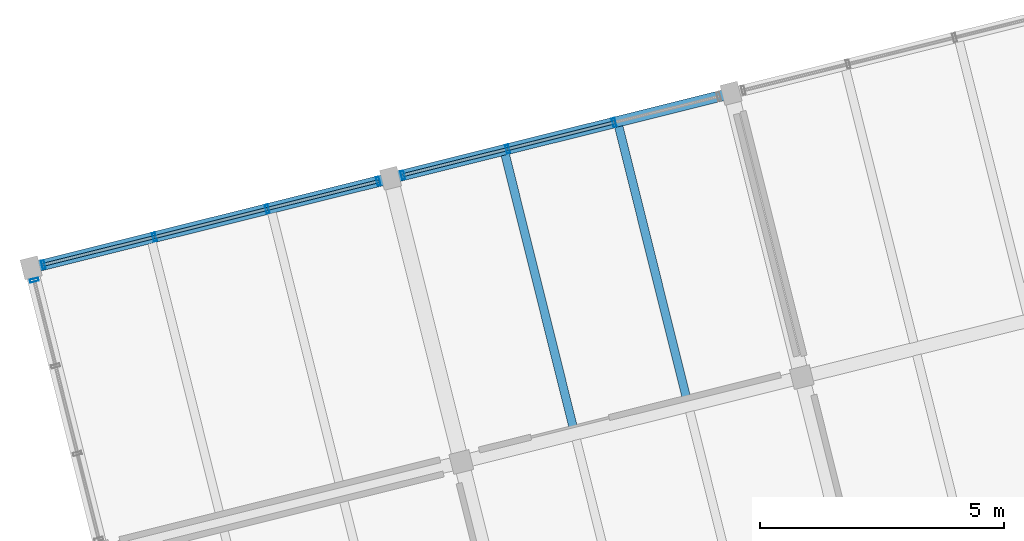
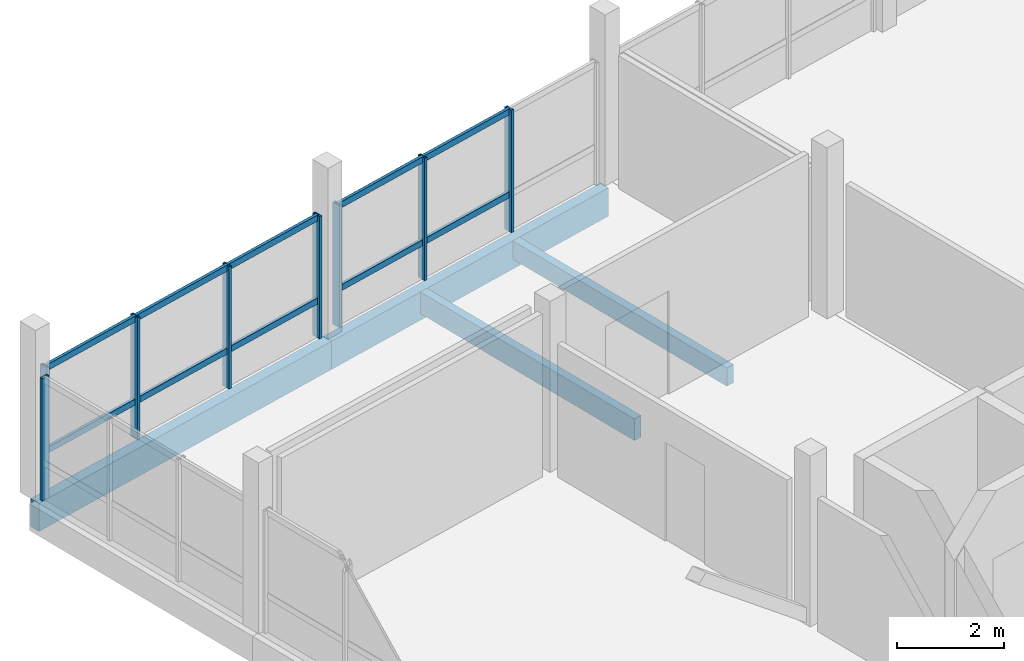
# One storey, part 16 of 27: 18 members, 4 beams, 3 elements without a shape of their own.
"""IFC4 building model written with IfcOpenShell, lengths in metres."""

import ifcopenshell
import ifcopenshell.guid

model = None  # the IFC model being written
_history = None  # IfcOwnerHistory: only IFC2X3 demands one
_inside = {}  # id of a spatial element -> (the spatial element, [elements in it])
_under = {}  # id of a project, library or spatial element -> (it, [spatial elements below it])
_declared = {}  # id of a project -> (the project, [libraries it declares])
_typed = {}  # id of a type object -> (the type object, [elements of that type])
_made_of = {}  # id of a material, layer set ... -> (it, [elements and type objects made of it])


def new_model(schema):
    """Start an empty IFC model of exactly this schema.

    Asked for "IFC4X3", IfcOpenShell would pick the latest addendum, in which some entities
    have other attributes; the version numbers below select the first issue.
    IFC2X3 requires an IfcOwnerHistory on every rooted entity: one is made here for all.
    """
    global model, _history
    if schema == "IFC4X3":
        model = ifcopenshell.file(schema_version=(4, 3, 0, 0))
    else:
        model = ifcopenshell.file(schema=schema)
    _inside.clear()
    _under.clear()
    _declared.clear()
    _typed.clear()
    _made_of.clear()
    _history = None
    if model.schema == "IFC2X3":
        org = make("IfcOrganization", Name="unknown")
        user = make(
            "IfcPersonAndOrganization",
            ThePerson=make("IfcPerson", FamilyName="unknown"),
            TheOrganization=org,
        )
        app = make(
            "IfcApplication",
            ApplicationDeveloper=org,
            Version="unknown",
            ApplicationFullName="unknown",
            ApplicationIdentifier="unknown",
        )
        _history = make(
            "IfcOwnerHistory",
            OwningUser=user,
            OwningApplication=app,
            ChangeAction="ADDED",
            CreationDate=0,
        )
    return model


def make(cls, **values):
    """One entity of the class cls with the attributes given. An attribute that is None is left unset."""
    return model.create_entity(
        cls, **{name: value for name, value in values.items() if value is not None}
    )


def rooted(cls, **values):
    """An entity with a GlobalId (a new one), such as an element, a storey or a relation."""
    return make(cls, GlobalId=ifcopenshell.guid.new(), OwnerHistory=_history, **values)


def si_unit(unit_type, name, prefix=None):
    """IfcSIUnit, for example si_unit("LENGTHUNIT", "METRE", prefix="MILLI")."""
    return make("IfcSIUnit", UnitType=unit_type, Prefix=prefix, Name=name)


def assignment(units):
    """IfcUnitAssignment: the units of a project."""
    return None if units is None else make("IfcUnitAssignment", Units=units)


def point(xyz):
    """IfcCartesianPoint."""
    return None if xyz is None else make("IfcCartesianPoint", Coordinates=xyz)


def direction(xyz):
    """IfcDirection."""
    return None if xyz is None else make("IfcDirection", DirectionRatios=xyz)


def frame(location, z_axis=None, x_axis=None):
    """IfcAxis2Placement3D, a coordinate frame: its origin and axes. An axis left out is left unset."""
    return make(
        "IfcAxis2Placement3D",
        Location=point(location),
        Axis=direction(z_axis),
        RefDirection=direction(x_axis),
    )


def frame_2d(location, x_axis=None):
    """IfcAxis2Placement2D, a coordinate frame in the plane: its origin and x axis."""
    return make(
        "IfcAxis2Placement2D", Location=point(location), RefDirection=direction(x_axis)
    )


def origin():
    """The frame at (0, 0, 0) with its axes left unset."""
    return frame((0.0, 0.0, 0.0))


def origin_2d():
    """The frame at (0, 0) in the plane with its x axis left unset."""
    return frame_2d((0.0, 0.0))


def place(relative_to, where):
    """IfcLocalPlacement: puts the frame where relative to a parent placement (None: the world)."""
    return make(
        "IfcLocalPlacement", PlacementRelTo=relative_to, RelativePlacement=where
    )


def context(
    kind, dimensions, precision=None, world=None, true_north=None, identifier=None
):
    """IfcGeometricRepresentationContext, for example the 3D "Model" context."""
    return make(
        "IfcGeometricRepresentationContext",
        ContextIdentifier=identifier,
        ContextType=kind,
        CoordinateSpaceDimension=dimensions,
        Precision=precision,
        WorldCoordinateSystem=world,
        TrueNorth=true_north,
    )


def subcontext(parent, identifier, kind, view, scale=None):
    """IfcGeometricRepresentationSubContext, for example "Body" below "Model"."""
    return make(
        "IfcGeometricRepresentationSubContext",
        ContextIdentifier=identifier,
        ContextType=kind,
        ParentContext=parent,
        TargetScale=scale,
        TargetView=view,
    )


def project(units=None, contexts=None):
    """IfcProject with its units and contexts."""
    return rooted(
        "IfcProject",
        Name="project",
        RepresentationContexts=contexts,
        UnitsInContext=assignment(units),
    )


def spatial(cls, under=None, at=None, **own):
    """A site, building, storey or space (cls), placed at a placement, below another one or the project."""
    s = rooted(cls, ObjectPlacement=at, **own)
    if under is not None:
        _under.setdefault(under.id(), (under, []))[1].append(s)
    return s


def profile(cls, at=None, kind="AREA", **sizes):
    """A parametric profile (cls). Its sizes go by their IFC names, for example OverallWidth=200.0."""
    return make(cls, ProfileType=kind, Position=at, **sizes)


def rectangle(**sizes):
    """IfcRectangleProfileDef."""
    return profile("IfcRectangleProfileDef", **sizes)


def hollow_rectangle(**sizes):
    """IfcRectangleHollowProfileDef."""
    return profile("IfcRectangleHollowProfileDef", **sizes)


def extrude(swept, where, along, depth):
    """IfcExtrudedAreaSolid: the profile swept, set in the frame where, extruded along a direction by depth."""
    return make(
        "IfcExtrudedAreaSolid",
        SweptArea=swept,
        Position=where,
        ExtrudedDirection=direction(along),
        Depth=depth,
    )


def shape(context_of_items, identifier, shape_type, items):
    """IfcShapeRepresentation: the items that make up one representation, for example the "Body"."""
    return make(
        "IfcShapeRepresentation",
        ContextOfItems=context_of_items,
        RepresentationIdentifier=identifier,
        RepresentationType=shape_type,
        Items=items,
    )


def material(Name=None, Category=None):
    """IfcMaterial."""
    return make("IfcMaterial", Name=Name, Category=Category)


def layer(
    of_material, thickness, ventilated=None, Name=None, Category=None, Priority=None
):
    """IfcMaterialLayer: one layer of a wall or slab, of a material (None: an air gap)."""
    return make(
        "IfcMaterialLayer",
        Material=of_material,
        LayerThickness=thickness,
        IsVentilated=ventilated,
        Name=Name,
        Category=Category,
        Priority=Priority,
    )


def layer_set(layers, Name=None):
    """IfcMaterialLayerSet."""
    return make("IfcMaterialLayerSet", MaterialLayers=layers, LayerSetName=Name)


def material_profile(
    of_material, cross_section, Name=None, Category=None, Priority=None
):
    """IfcMaterialProfile: a cross section and its material."""
    return make(
        "IfcMaterialProfile",
        Name=Name,
        Material=of_material,
        Profile=cross_section,
        Priority=Priority,
        Category=Category,
    )


def profile_set(profiles, Name=None, composite=None):
    """IfcMaterialProfileSet."""
    return make(
        "IfcMaterialProfileSet",
        Name=Name,
        MaterialProfiles=profiles,
        CompositeProfile=composite,
    )


def made_of(thing, what):
    """Note that an element or type object is made of a material, layer set ...; save() writes the relation."""
    if what is not None:
        _made_of.setdefault(what.id(), (what, []))[1].append(thing)
    return thing


def type_object(cls, material=None, **own):
    """A type object (cls), such as IfcWallType, which elements share."""
    return made_of(rooted(cls, **own), material)


def element(
    cls,
    number,
    at=None,
    inside=None,
    cuts=None,
    type_object=None,
    material=None,
    context=None,
    identifier="Body",
    shape_type=None,
    held_by="IfcProductDefinitionShape",
    body=None,
    shapes=None,
    **own,
):
    """One element of the class cls, such as IfcWall. Its Tag is "e" and its number.

    at: its placement. inside: the storey or other place that contains it. cuts: it is an
    opening in that element (IfcRelVoidsElement). A single representation is given by context,
    identifier, shape_type and body (its items); several are given by shapes. held_by: the class
    of the entity that holds the representations. save() writes the other relations.
    """
    e = rooted(cls, Tag="e%d" % number, ObjectPlacement=at, **own)
    if body is not None:
        shapes = [shape(context, identifier, shape_type, body)]
    if shapes is not None:
        e.Representation = make(held_by, Representations=shapes)
    if inside is not None:
        _inside.setdefault(inside.id(), (inside, []))[1].append(e)
    if cuts is not None:
        rooted(
            "IfcRelVoidsElement", RelatingBuildingElement=cuts, RelatedOpeningElement=e
        )
    if type_object is not None:
        _typed.setdefault(type_object.id(), (type_object, []))[1].append(e)
    return made_of(e, material)


def aggregate(whole, parts):
    """IfcRelAggregates: a whole, such as a stair, and the parts it consists of."""
    return rooted("IfcRelAggregates", RelatingObject=whole, RelatedObjects=parts)


def save(model, path):
    """Write the relations noted so far, then the file.

    IfcRelAggregates (storeys below a building ...), IfcRelContainedInSpatialStructure (elements
    in a storey), IfcRelDefinesByType, IfcRelAssociatesMaterial and IfcRelDeclares: one each for
    every whole, place, type object, material and project.
    """
    for whole, parts in _under.values():
        aggregate(whole, parts)
    for where, things in _inside.values():
        rooted(
            "IfcRelContainedInSpatialStructure",
            RelatedElements=things,
            RelatingStructure=where,
        )
    for kind, things in _typed.values():
        rooted("IfcRelDefinesByType", RelatedObjects=things, RelatingType=kind)
    for what, things in _made_of.values():
        rooted("IfcRelAssociatesMaterial", RelatedObjects=things, RelatingMaterial=what)
    for by, libraries in _declared.values():
        rooted("IfcRelDeclares", RelatingContext=by, RelatedDefinitions=libraries)
    model.write(path)


model = new_model("IFC4")

# Units and contexts
model_context = context("Model", 3, precision=1e-05, world=origin(), true_north=direction((0.0, 1.0)))
body_context = subcontext(model_context, "Body", "Model", "MODEL_VIEW")
ifc_project = project(units=[si_unit("LENGTHUNIT", "METRE"), si_unit("AREAUNIT", "SQUARE_METRE"), si_unit("VOLUMEUNIT", "CUBIC_METRE"), si_unit("PLANEANGLEUNIT", "RADIAN"), si_unit("MASSUNIT", "GRAM", prefix="KILO")], contexts=[model_context])

# Site, building, storey
site_placement = place(None, origin())
site = spatial("IfcSite", under=ifc_project, at=site_placement, CompositionType="ELEMENT")
building_placement = place(site_placement, origin())
building = spatial("IfcBuilding", under=site, at=building_placement, Name="Meriwether Solvik Hall", CompositionType="ELEMENT")
storey_placement = place(building_placement, frame((0.0, 0.0, 33.89990234375)))
storey = spatial("IfcBuildingStorey", under=building, at=storey_placement, Name="L08", CompositionType="ELEMENT", Elevation=33.89990234375)

# Beams
ifc_material_1 = material(Name="Glulam Douglas-Fir 24F-V8 GL28h", Category="wood")
ifc_material_profile_1 = material_profile(ifc_material_1, rectangle(XDim=0.221923828125, YDim=0.64501953125, at=origin_2d()), Name="GLB-222X645")
ifc_profile_set_1 = profile_set([ifc_material_profile_1], Name="Glulam Douglas-Fir 24F-V8 GL28h")
beam_type_1 = type_object("IfcBeamType", Name="BM-GL-222X645", PredefinedType="SPANDREL", material=ifc_profile_set_1)
beam_1_placement = place(storey_placement, frame((60.374755859375, 74.18994140625, -0.50244140625), z_axis=(0.970295366785, 0.241923337436, 0.0), x_axis=(-0.241923337436, 0.970295366785, 0.0)))
element("IfcBeam", 1, at=beam_1_placement, inside=storey, type_object=beam_type_1, Name="Tower Girder TF:T1-T2 (L08)", PredefinedType="SPANDREL", context=body_context, shape_type="SweptSolid", body=[
    extrude(rectangle(XDim=0.221923828125, YDim=0.64501953125, at=origin_2d()), origin(), (0.0, 0.0, 1.0), 7.60009765625),
])
beam_2_placement = place(storey_placement, frame((67.7490234375, 76.028564453125, -0.50244140625), z_axis=(0.970291911955, 0.241937193493, 0.0), x_axis=(-0.241937193493, 0.970291911955, 0.0)))
element("IfcBeam", 2, at=beam_2_placement, inside=storey, type_object=beam_type_1, Name="Tower Girder TF:T2-T3 (L08)", PredefinedType="SPANDREL", context=body_context, shape_type="SweptSolid", body=[
    extrude(rectangle(XDim=0.221923828125, YDim=0.64501953125, at=origin_2d()), origin(), (0.0, 0.0, 1.0), 7.199951171875),
])

# Curtain wall, members
ifc_material_2 = material(Name="Thermally Broken Anodised Aluminium 6063-T6 and Low-E Glass", Category="aluminium")
ifc_layer_1 = layer(ifc_material_2, 0.179931640625)
ifc_layer_set_1 = layer_set([ifc_layer_1], Name="Thermally Broken Anodised Aluminium 6063-T6 and Low-E Glass")
curtain_wall_type_1 = type_object("IfcCurtainWallType", Name="CW-UNIT-E", PredefinedType="USERDEFINED", material=ifc_layer_set_1)
curtain_wall_1_placement = place(storey_placement, origin())
curtain_wall_1 = element("IfcCurtainWall", 3, at=curtain_wall_1_placement, inside=storey, type_object=curtain_wall_type_1, Name="Curtain Wall E6_B0 (L08)", ObjectType="UNITISED CURTAIN WALL", PredefinedType="USERDEFINED")
ifc_material_3 = material(Name="Anodised Aluminium 6063-T6", Category="aluminium")
ifc_material_profile_2 = material_profile(ifc_material_3, hollow_rectangle(XDim=0.06494140625, YDim=0.179931640625, WallThickness=0.00439453125, at=origin_2d()), Name="CWM-65X180")
ifc_profile_set_2 = profile_set([ifc_material_profile_2], Name="Anodised Aluminium 6063-T6")
member_type_1 = type_object("IfcMemberType", Name="CW-MUL-65X180", PredefinedType="MULLION", material=ifc_profile_set_2)
member_1_placement = place(storey_placement, frame((60.626953125, 74.2529296875, 0.0), z_axis=(0.0, 0.0, 1.0), x_axis=(0.970295727285, 0.241921891552, 0.0)))
member_1 = element("IfcMember", 4, at=member_1_placement, type_object=member_type_1, Name="Curtain Wall Mullion 1", PredefinedType="MULLION", context=body_context, shape_type="SweptSolid", body=[
    extrude(hollow_rectangle(XDim=0.06494140625, YDim=0.179931640625, WallThickness=0.00439453125, at=origin_2d()), origin(), (0.0, 0.0, 1.0), 2.7900390625),
])
member_2_placement = place(storey_placement, frame((62.904541015625, 74.82080078125, 0.0), z_axis=(0.0, 0.0, 1.0), x_axis=(0.970295727285, 0.241921891552, 0.0)))
member_2 = element("IfcMember", 5, at=member_2_placement, type_object=member_type_1, Name="Curtain Wall Mullion 2", PredefinedType="MULLION", context=body_context, shape_type="SweptSolid", body=[
    extrude(hollow_rectangle(XDim=0.06494140625, YDim=0.179931640625, WallThickness=0.00439453125, at=origin_2d()), origin(), (0.0, 0.0, 1.0), 2.7900390625),
])
member_3_placement = place(storey_placement, frame((65.218994140625, 75.39794921875, 0.0), z_axis=(0.0, 0.0, 1.0), x_axis=(0.970295727285, 0.241921891552, 0.0)))
member_3 = element("IfcMember", 6, at=member_3_placement, type_object=member_type_1, Name="Curtain Wall Mullion 3", PredefinedType="MULLION", context=body_context, shape_type="SweptSolid", body=[
    extrude(hollow_rectangle(XDim=0.06494140625, YDim=0.179931640625, WallThickness=0.00439453125, at=origin_2d()), origin(), (0.0, 0.0, 1.0), 2.7900390625),
])
member_4_placement = place(storey_placement, frame((67.49658203125, 75.9658203125, 0.0), z_axis=(0.0, 0.0, 1.0), x_axis=(0.970295727285, 0.241921891552, 0.0)))
member_4 = element("IfcMember", 7, at=member_4_placement, type_object=member_type_1, Name="Curtain Wall Mullion 4", PredefinedType="MULLION", context=body_context, shape_type="SweptSolid", body=[
    extrude(hollow_rectangle(XDim=0.06494140625, YDim=0.179931640625, WallThickness=0.00439453125, at=origin_2d()), origin(), (0.0, 0.0, 1.0), 2.7900390625),
])

ifc_material_4 = material(Name="Thermally Broken Anodised Aluminium 6063-T6 and Low-E Glass", Category="aluminium")
ifc_layer_2 = layer(ifc_material_4, 0.179931640625)
ifc_layer_set_2 = layer_set([ifc_layer_2], Name="Thermally Broken Anodised Aluminium 6063-T6 and Low-E Glass")
curtain_wall_type_2 = type_object("IfcCurtainWallType", Name="CW-UNIT-F", PredefinedType="USERDEFINED", material=ifc_layer_set_2)
curtain_wall_2_placement = place(storey_placement, origin())
curtain_wall_2 = element("IfcCurtainWall", 8, at=curtain_wall_2_placement, inside=storey, type_object=curtain_wall_type_2, Name="Curtain Wall E6_B1 (L08)", ObjectType="UNITISED CURTAIN WALL", PredefinedType="USERDEFINED")
member_5_placement = place(storey_placement, frame((68.001220703125, 76.091552734375, 0.0), z_axis=(0.0, 0.0, 1.0), x_axis=(0.970295738259, 0.241921847539, 0.0)))
member_5 = element("IfcMember", 9, at=member_5_placement, type_object=member_type_1, Name="Curtain Wall Mullion 1", PredefinedType="MULLION", context=body_context, shape_type="SweptSolid", body=[
    extrude(hollow_rectangle(XDim=0.06494140625, YDim=0.179931640625, WallThickness=0.00439453125, at=origin_2d()), origin(), (0.0, 0.0, 1.0), 2.7900390625),
])
member_6_placement = place(storey_placement, frame((70.1494140625, 76.627197265625, 0.0), z_axis=(0.0, 0.0, 1.0), x_axis=(0.970295738259, 0.241921847539, 0.0)))
member_6 = element("IfcMember", 10, at=member_6_placement, type_object=member_type_1, Name="Curtain Wall Mullion 2", PredefinedType="MULLION", context=body_context, shape_type="SweptSolid", body=[
    extrude(hollow_rectangle(XDim=0.06494140625, YDim=0.179931640625, WallThickness=0.00439453125, at=origin_2d()), origin(), (0.0, 0.0, 1.0), 2.7900390625),
])
member_7_placement = place(storey_placement, frame((72.33447265625, 77.171875, 0.0), z_axis=(0.0, 0.0, 1.0), x_axis=(0.970295738259, 0.241921847539, 0.0)))
member_7 = element("IfcMember", 11, at=member_7_placement, type_object=member_type_1, Name="Curtain Wall Mullion 3", PredefinedType="MULLION", context=body_context, shape_type="SweptSolid", body=[
    extrude(hollow_rectangle(XDim=0.06494140625, YDim=0.179931640625, WallThickness=0.00439453125, at=origin_2d()), origin(), (0.0, 0.0, 1.0), 2.7900390625),
])

# Curtain wall, member
ifc_material_5 = material(Name="Thermally Broken Anodised Aluminium 6063-T6 and Low-E Glass", Category="aluminium")
ifc_layer_3 = layer(ifc_material_5, 0.179931640625)
ifc_layer_set_3 = layer_set([ifc_layer_3], Name="Thermally Broken Anodised Aluminium 6063-T6 and Low-E Glass")
curtain_wall_type_3 = type_object("IfcCurtainWallType", Name="CW-UNIT-C", PredefinedType="USERDEFINED", material=ifc_layer_set_3)
curtain_wall_3_placement = place(storey_placement, origin())
curtain_wall_3 = element("IfcCurtainWall", 12, at=curtain_wall_3_placement, inside=storey, type_object=curtain_wall_type_3, Name="Curtain Wall E7_B4 (L08)", ObjectType="UNITISED CURTAIN WALL", PredefinedType="USERDEFINED")
member_8_placement = place(storey_placement, frame((60.4375, 73.937744140625, 0.0), z_axis=(0.0, 0.0, 1.0), x_axis=(-0.241921889131, 0.970295727889, 0.0)))
member_8 = element("IfcMember", 13, at=member_8_placement, type_object=member_type_1, Name="Curtain Wall Mullion 4", PredefinedType="MULLION", context=body_context, shape_type="SweptSolid", body=[
    extrude(hollow_rectangle(XDim=0.06494140625, YDim=0.179931640625, WallThickness=0.00439453125, at=origin_2d()), origin(), (0.0, 0.0, 1.0), 2.7900390625),
])
aggregate(curtain_wall_3, [member_8])

# Member
ifc_material_6 = material(Name="Anodised Aluminium 6063-T6", Category="aluminium")
ifc_material_profile_3 = material_profile(ifc_material_6, hollow_rectangle(XDim=0.06494140625, YDim=0.139892578125, WallThickness=0.00439453125, at=origin_2d()), Name="CWT-65X140")
ifc_profile_set_3 = profile_set([ifc_material_profile_3], Name="Anodised Aluminium 6063-T6")
member_type_2 = type_object("IfcMemberType", Name="CW-TRN-65X140", PredefinedType="USERDEFINED", material=ifc_profile_set_3)
member_9_placement = place(storey_placement, frame((60.626953125, 74.2529296875, 0.837158203125), z_axis=(0.970295260897, 0.241923762123, 0.0), x_axis=(-0.241923762123, 0.970295260897, 0.0)))
member_9 = element("IfcMember", 14, at=member_9_placement, type_object=member_type_2, Name="Curtain Wall Transom 1-sill", ObjectType="TRANSOM", PredefinedType="USERDEFINED", context=body_context, shape_type="SweptSolid", body=[
    extrude(hollow_rectangle(XDim=0.06494140625, YDim=0.139892578125, WallThickness=0.00439453125, at=origin_2d()), origin(), (0.0, 0.0, 1.0), 2.347412109375),
])

member_10_placement = place(storey_placement, frame((60.626953125, 74.2529296875, 2.72998046875), z_axis=(0.970295260897, 0.241923762123, 0.0), x_axis=(-0.241923762123, 0.970295260897, 0.0)))
member_10 = element("IfcMember", 15, at=member_10_placement, type_object=member_type_2, Name="Curtain Wall Transom 1-head", ObjectType="TRANSOM", PredefinedType="USERDEFINED", context=body_context, shape_type="SweptSolid", body=[
    extrude(hollow_rectangle(XDim=0.06494140625, YDim=0.139892578125, WallThickness=0.00439453125, at=origin_2d()), origin(), (0.0, 0.0, 1.0), 2.347412109375),
])

member_11_placement = place(storey_placement, frame((62.904541015625, 74.82080078125, 0.837158203125), z_axis=(0.970286823405, 0.241957600267, 0.0), x_axis=(-0.241957600267, 0.970286823405, 0.0)))
member_11 = element("IfcMember", 16, at=member_11_placement, type_object=member_type_2, Name="Curtain Wall Transom 2-sill", ObjectType="TRANSOM", PredefinedType="USERDEFINED", context=body_context, shape_type="SweptSolid", body=[
    extrude(hollow_rectangle(XDim=0.06494140625, YDim=0.139892578125, WallThickness=0.00439453125, at=origin_2d()), origin(), (0.0, 0.0, 1.0), 2.38525390625),
])

member_12_placement = place(storey_placement, frame((62.904541015625, 74.82080078125, 2.72998046875), z_axis=(0.970286823405, 0.241957600267, 0.0), x_axis=(-0.241957600267, 0.970286823405, 0.0)))
member_12 = element("IfcMember", 17, at=member_12_placement, type_object=member_type_2, Name="Curtain Wall Transom 2-head", ObjectType="TRANSOM", PredefinedType="USERDEFINED", context=body_context, shape_type="SweptSolid", body=[
    extrude(hollow_rectangle(XDim=0.06494140625, YDim=0.139892578125, WallThickness=0.00439453125, at=origin_2d()), origin(), (0.0, 0.0, 1.0), 2.38525390625),
])

member_13_placement = place(storey_placement, frame((65.218994140625, 75.39794921875, 0.837158203125), z_axis=(0.970295260897, 0.241923762123, 0.0), x_axis=(-0.241923762123, 0.970295260897, 0.0)))
member_13 = element("IfcMember", 18, at=member_13_placement, type_object=member_type_2, Name="Curtain Wall Transom 3-sill", ObjectType="TRANSOM", PredefinedType="USERDEFINED", context=body_context, shape_type="SweptSolid", body=[
    extrude(hollow_rectangle(XDim=0.06494140625, YDim=0.139892578125, WallThickness=0.00439453125, at=origin_2d()), origin(), (0.0, 0.0, 1.0), 2.347412109375),
])

member_14_placement = place(storey_placement, frame((65.218994140625, 75.39794921875, 2.72998046875), z_axis=(0.970295260897, 0.241923762123, 0.0), x_axis=(-0.241923762123, 0.970295260897, 0.0)))
member_14 = element("IfcMember", 19, at=member_14_placement, type_object=member_type_2, Name="Curtain Wall Transom 3-head", ObjectType="TRANSOM", PredefinedType="USERDEFINED", context=body_context, shape_type="SweptSolid", body=[
    extrude(hollow_rectangle(XDim=0.06494140625, YDim=0.139892578125, WallThickness=0.00439453125, at=origin_2d()), origin(), (0.0, 0.0, 1.0), 2.347412109375),
])

aggregate(curtain_wall_1, [member_1, member_2, member_3, member_4, member_9, member_10, member_11, member_12, member_13, member_14])

member_15_placement = place(storey_placement, frame((68.001220703125, 76.091552734375, 0.837158203125), z_axis=(0.970291509385, 0.241938808, 0.0), x_axis=(-0.241938808, 0.970291509385, 0.0)))
member_15 = element("IfcMember", 20, at=member_15_placement, type_object=member_type_2, Name="Curtain Wall Transom 1-sill", ObjectType="TRANSOM", PredefinedType="USERDEFINED", context=body_context, shape_type="SweptSolid", body=[
    extrude(hollow_rectangle(XDim=0.06494140625, YDim=0.139892578125, WallThickness=0.00439453125, at=origin_2d()), origin(), (0.0, 0.0, 1.0), 2.2138671875),
])

member_16_placement = place(storey_placement, frame((68.001220703125, 76.091552734375, 2.72998046875), z_axis=(0.970291509385, 0.241938808, 0.0), x_axis=(-0.241938808, 0.970291509385, 0.0)))
member_16 = element("IfcMember", 21, at=member_16_placement, type_object=member_type_2, Name="Curtain Wall Transom 1-head", ObjectType="TRANSOM", PredefinedType="USERDEFINED", context=body_context, shape_type="SweptSolid", body=[
    extrude(hollow_rectangle(XDim=0.06494140625, YDim=0.139892578125, WallThickness=0.00439453125, at=origin_2d()), origin(), (0.0, 0.0, 1.0), 2.2138671875),
])

member_17_placement = place(storey_placement, frame((70.1494140625, 76.627197265625, 0.837158203125), z_axis=(0.970308083555, 0.241872327867, 0.0), x_axis=(-0.241872327867, 0.970308083555, 0.0)))
member_17 = element("IfcMember", 22, at=member_17_placement, type_object=member_type_2, Name="Curtain Wall Transom 2-sill", ObjectType="TRANSOM", PredefinedType="USERDEFINED", context=body_context, shape_type="SweptSolid", body=[
    extrude(hollow_rectangle(XDim=0.06494140625, YDim=0.139892578125, WallThickness=0.00439453125, at=origin_2d()), origin(), (0.0, 0.0, 1.0), 2.251953125),
])

member_18_placement = place(storey_placement, frame((70.1494140625, 76.627197265625, 2.72998046875), z_axis=(0.970308083555, 0.241872327867, 0.0), x_axis=(-0.241872327867, 0.970308083555, 0.0)))
member_18 = element("IfcMember", 23, at=member_18_placement, type_object=member_type_2, Name="Curtain Wall Transom 2-head", ObjectType="TRANSOM", PredefinedType="USERDEFINED", context=body_context, shape_type="SweptSolid", body=[
    extrude(hollow_rectangle(XDim=0.06494140625, YDim=0.139892578125, WallThickness=0.00439453125, at=origin_2d()), origin(), (0.0, 0.0, 1.0), 2.251953125),
])

aggregate(curtain_wall_2, [member_5, member_6, member_7, member_15, member_16, member_17, member_18])

# Beams
ifc_material_7 = material(Name="Glulam Douglas-Fir 24F-V8 GL28h", Category="wood")
ifc_material_profile_4 = material_profile(ifc_material_7, rectangle(XDim=0.175048828125, YDim=0.419921875, at=origin_2d()), Name="GLJ-175X420")
ifc_profile_set_4 = profile_set([ifc_material_profile_4], Name="Glulam Douglas-Fir 24F-V8 GL28h")
beam_type_2 = type_object("IfcBeamType", Name="JST-GL-175X420", PredefinedType="JOIST", material=ifc_profile_set_4)
beam_3_placement = place(storey_placement, frame((73.825927734375, 71.49560546875, -0.389892578125), z_axis=(-0.241917511092, 0.970296819446, 0.0), x_axis=(-0.970296819446, -0.241917511092, 0.0)))
element("IfcBeam", 24, at=beam_3_placement, inside=storey, type_object=beam_type_2, Name="Glulam Floor Joist T2/TE-J2 (L08)", PredefinedType="JOIST", context=body_context, shape_type="SweptSolid", body=[
    extrude(rectangle(XDim=0.175048828125, YDim=0.419921875, at=origin_2d()), origin(), (0.0, 0.0, 1.0), 5.762451171875),
])
ifc_material_8 = material(Name="Glulam Douglas-Fir 24F-V8 GL28h", Category="wood")
ifc_material_profile_5 = material_profile(ifc_material_8, rectangle(XDim=0.175048828125, YDim=0.4951171875, at=origin_2d()), Name="GLJ-175X495")
ifc_profile_set_5 = profile_set([ifc_material_profile_5], Name="Glulam Douglas-Fir 24F-V8 GL28h")
beam_type_3 = type_object("IfcBeamType", Name="JST-GL-175X495", PredefinedType="JOIST", material=ifc_profile_set_5)
beam_4_placement = place(storey_placement, frame((71.497314453125, 70.9150390625, -0.427490234375), z_axis=(-0.241917511092, 0.970296819446, 0.0), x_axis=(-0.970296819446, -0.241917511092, 0.0)))
element("IfcBeam", 25, at=beam_4_placement, inside=storey, type_object=beam_type_3, Name="Glulam Floor Joist T2/TE-J1 (L08)", PredefinedType="JOIST", context=body_context, shape_type="SweptSolid", body=[
    extrude(rectangle(XDim=0.175048828125, YDim=0.4951171875, at=origin_2d()), origin(), (0.0, 0.0, 1.0), 5.762451171875),
])

save(model, "model.ifc")
